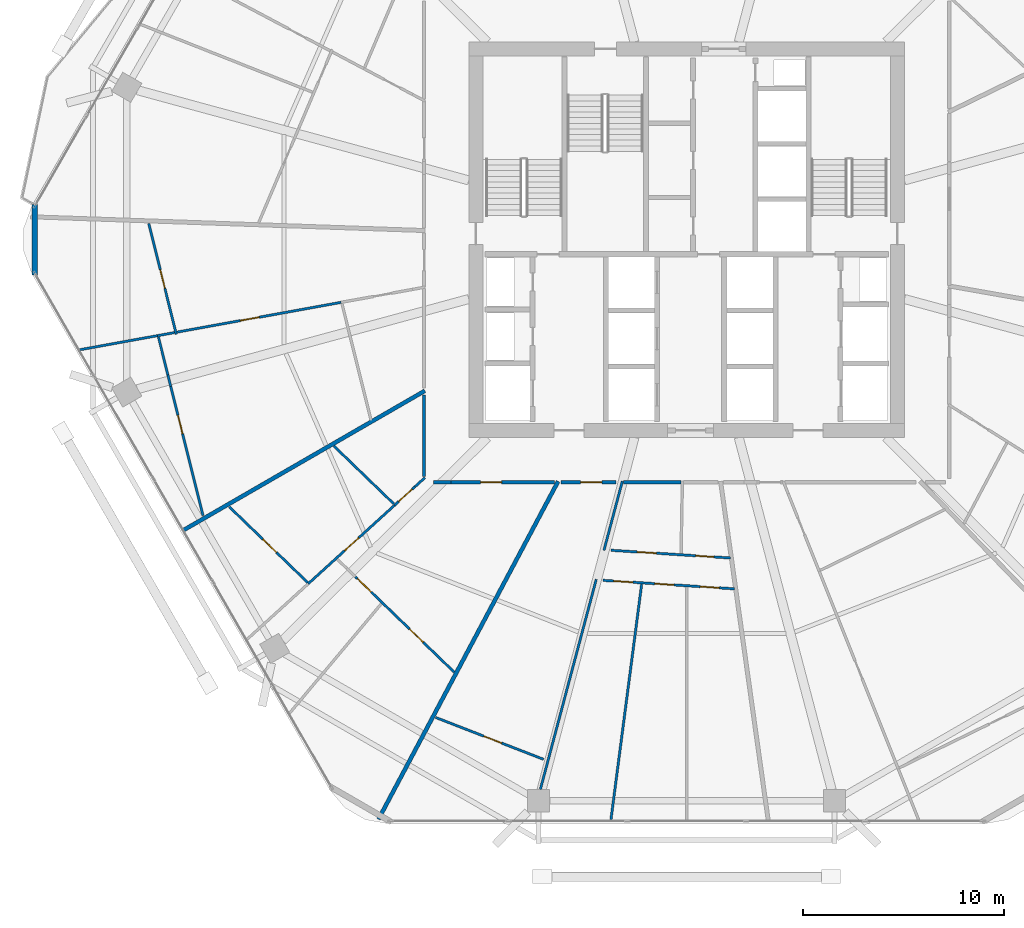
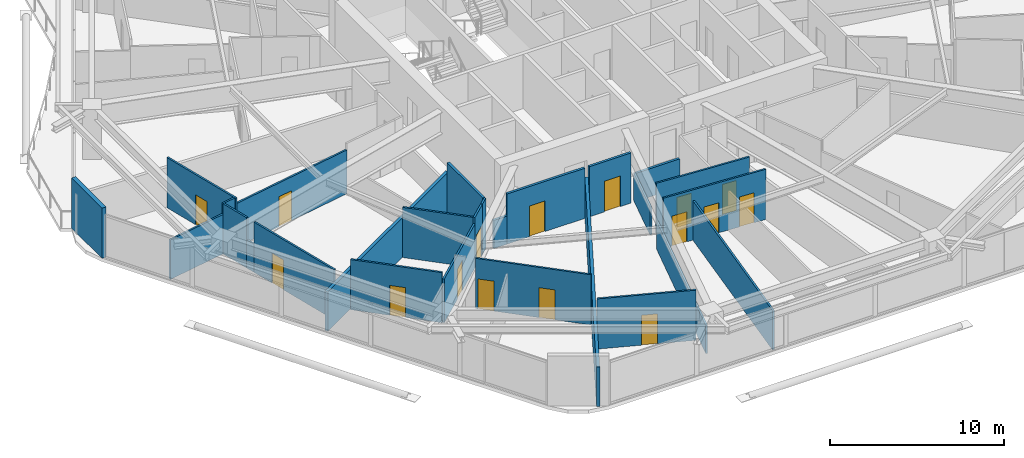
# One storey, part 26 of 33: 27 walls, 16 doors, 16 openings.
"""IFC4 building model written with IfcOpenShell, lengths in metres."""

from ifc_helpers import new_model, si_unit, direction, frame, frame_2d, origin, place, context, subcontext, project, spatial, rectangle, extrude, material, layer, layer_set, type_object, element, fill, save


model = new_model("IFC4")

# Units and contexts
model_context = context("Model", 3, precision=1e-05, world=origin(), true_north=direction((0.0, 1.0)))
body_context = subcontext(model_context, "Body", "Model", "MODEL_VIEW")
ifc_project = project(units=[si_unit("LENGTHUNIT", "METRE"), si_unit("AREAUNIT", "SQUARE_METRE"), si_unit("VOLUMEUNIT", "CUBIC_METRE"), si_unit("PLANEANGLEUNIT", "RADIAN"), si_unit("MASSUNIT", "GRAM", prefix="KILO")], contexts=[model_context])

# Site, building, storey
site_placement = place(None, origin())
site = spatial("IfcSite", under=ifc_project, at=site_placement, CompositionType="ELEMENT")
building_placement = place(site_placement, origin())
building = spatial("IfcBuilding", under=site, at=building_placement, Name="Zuhravey Tower", CompositionType="ELEMENT")
storey_placement = place(building_placement, frame((0.0, 0.0, 141.800048828125)))
storey = spatial("IfcBuildingStorey", under=building, at=storey_placement, Name="L35", CompositionType="ELEMENT", Elevation=141.800048828125)

# Wall, opening, door
ifc_material_1 = material(Name="Gypsum fire-rated stud partition")
ifc_layer_1 = layer(ifc_material_1, 0.159912109375)
ifc_layer_set_1 = layer_set([ifc_layer_1], Name="Gypsum fire-rated stud partition")
wall_type_1 = type_object("IfcWallType", Name="Corridor Fire Partition 160", PredefinedType="PARTITIONING", material=ifc_layer_set_1)
wall_1_placement = place(storey_placement, frame((24.265380859375, 19.919921875, 0.0), z_axis=(0.0, 0.0, 1.0), x_axis=(1.0, 0.0, 0.0)))
wall_1 = element("IfcWall", 1, at=wall_1_placement, inside=storey, type_object=wall_type_1, Name="L35 IW16 Partition 050", PredefinedType="PARTITIONING", context=body_context, shape_type="SweptSolid", body=[
    extrude(rectangle(XDim=5.15283203125, YDim=0.159912109375, at=frame_2d((2.576416015625, 0.0))), origin(), (0.0, 0.0, 1.0), 3.52001953125),
])
opening_1_placement = place(wall_1_placement, frame((1.46875, 0.0, 0.0)))
opening_1 = element("IfcOpeningElement", 2, at=opening_1_placement, cuts=wall_1, Name="Opening APD1", PredefinedType="OPENING", context=body_context, shape_type="SweptSolid", body=[
    extrude(rectangle(XDim=1.050048828125, YDim=2.14990234375, at=frame_2d((0.52490234375, 1.074951171875))), frame((0.0, 0.092041015625, 0.0), z_axis=(0.0, -1.0, 0.0), x_axis=(1.0, 0.0, 0.0)), (0.0, 0.0, 1.0), 0.183837890625),
])
ifc_material_2 = material(Name="Solid-core oak fire-rated leaf")
door_type_1 = type_object("IfcDoorType", Name="Apartment Entrance Fire Door 1050x2150", OperationType="NOTDEFINED", PredefinedType="DOOR", material=ifc_material_2)
door_1_placement = place(opening_1_placement, frame((1.050048828125, 0.0, 0.0), z_axis=(0.0, 0.0, 1.0), x_axis=(-1.0, 0.0, 0.0)))
door_1 = element("IfcDoor", 3, at=door_1_placement, inside=storey, type_object=door_type_1, Name="L35 Door 050.1", OperationType="SINGLE_SWING_LEFT", OverallHeight=2.14990234375, OverallWidth=1.050048828125, PredefinedType="DOOR", context=body_context, shape_type="SweptSolid", body=[
    extrude(rectangle(XDim=1.050048828125, YDim=2.14990234375, at=frame_2d((0.52490234375, 1.074951171875))), frame((0.0, 0.02490234375, 0.0), z_axis=(0.0, -1.0, 0.0), x_axis=(1.0, 0.0, 0.0)), (0.0, 0.0, 1.0), 0.050048828125),
])
fill(opening_1, door_1)

wall_2_placement = place(storey_placement, frame((29.734130859375, 19.919921875, 0.0), z_axis=(0.0, 0.0, 1.0), x_axis=(1.0, 0.0, 0.0)))
wall_2 = element("IfcWall", 4, at=wall_2_placement, inside=storey, type_object=wall_type_1, Name="L35 IW16 Partition 054", PredefinedType="PARTITIONING", context=body_context, shape_type="SweptSolid", body=[
    extrude(rectangle(XDim=2.7587890625, YDim=0.159912109375, at=frame_2d((1.37939453125, 0.0))), origin(), (0.0, 0.0, 1.0), 3.52001953125),
])
opening_2_placement = place(wall_2_placement, frame((0.990478515625, 0.0, 0.0)))
opening_2 = element("IfcOpeningElement", 5, at=opening_2_placement, cuts=wall_2, Name="Opening APD1", PredefinedType="OPENING", context=body_context, shape_type="SweptSolid", body=[
    extrude(rectangle(XDim=1.050048828125, YDim=2.14990234375, at=frame_2d((0.52490234375, 1.074951171875))), frame((0.0, 0.092041015625, 0.0), z_axis=(0.0, -1.0, 0.0), x_axis=(1.0, 0.0, 0.0)), (0.0, 0.0, 1.0), 0.183837890625),
])
door_2_placement = place(opening_2_placement, frame((1.050048828125, 0.0, 0.0), z_axis=(0.0, 0.0, 1.0), x_axis=(-1.0, 0.0, 0.0)))
door_2 = element("IfcDoor", 6, at=door_2_placement, inside=storey, type_object=door_type_1, Name="L35 Door 054.1", OperationType="SINGLE_SWING_RIGHT", OverallHeight=2.14990234375, OverallWidth=1.050048828125, PredefinedType="DOOR", context=body_context, shape_type="SweptSolid", body=[
    extrude(rectangle(XDim=1.050048828125, YDim=2.14990234375, at=frame_2d((0.52490234375, 1.074951171875))), frame((0.0, 0.02490234375, 0.0), z_axis=(0.0, -1.0, 0.0), x_axis=(1.0, 0.0, 0.0)), (0.0, 0.0, 1.0), 0.050048828125),
])
fill(opening_2, door_2)

# Walls
wall_3_placement = place(storey_placement, frame((23.382080078125, 19.919921875, 0.0), z_axis=(0.0, 0.0, 1.0), x_axis=(1.0, 0.0, 0.0)))
element("IfcWall", 7, at=wall_3_placement, inside=storey, type_object=wall_type_1, Name="L35 IW16 Partition 115", PredefinedType="PARTITIONING", context=body_context, shape_type="SweptSolid", body=[
    extrude(rectangle(XDim=0.88330078125, YDim=0.159912109375, at=frame_2d((0.441650390625, 0.0))), origin(), (0.0, 0.0, 1.0), 1.969970703125),
])
wall_4_placement = place(storey_placement, frame((22.919921875, 24.272216796875, 0.0), z_axis=(0.0, 0.0, 1.0), x_axis=(0.0, -1.0, 0.0)))
element("IfcWall", 8, at=wall_4_placement, inside=storey, type_object=wall_type_1, Name="L35 IW16 Partition 148", PredefinedType="PARTITIONING", context=body_context, shape_type="SweptSolid", body=[
    extrude(rectangle(XDim=4.0751953125, YDim=0.159912109375, at=frame_2d((2.03759765625, 0.0))), origin(), (0.0, 0.0, 1.0), 3.52001953125),
])
wall_5_placement = place(storey_placement, frame((32.856201171875, 19.919921875, 0.0), z_axis=(0.0, 0.0, 1.0), x_axis=(1.0, 0.0, 0.0)))
element("IfcWall", 9, at=wall_5_placement, inside=storey, type_object=wall_type_1, Name="L35 IW16 Partition 149", PredefinedType="PARTITIONING", context=body_context, shape_type="SweptSolid", body=[
    extrude(rectangle(XDim=2.8623046875, YDim=0.159912109375, at=frame_2d((1.43115234375, 0.0))), origin(), (0.0, 0.0, 1.0), 1.969970703125),
])
ifc_material_3 = material(Name="Precast concrete C40/50", Category="concrete")
ifc_layer_2 = layer(ifc_material_3, 0.280029296875)
ifc_layer_set_2 = layer_set([ifc_layer_2], Name="Precast concrete C40/50")
wall_type_2 = type_object("IfcWallType", Name="Crown Architectural Wall 280", PredefinedType="SOLIDWALL", material=ifc_layer_set_2)
wall_6_placement = place(storey_placement, frame((3.521484375, 30.242431640625, 0.0), z_axis=(0.0, 0.0, 1.0), x_axis=(0.0, 1.0, 0.0)))
element("IfcWall", 10, at=wall_6_placement, inside=storey, type_object=wall_type_2, Name="L35 Rounded Corner Closure Wall EW28-06", PredefinedType="SOLIDWALL", context=body_context, shape_type="SweptSolid", body=[
    extrude(rectangle(XDim=3.51513671875, YDim=0.280029296875, at=frame_2d((1.757568359375, 0.0))), origin(), (0.0, 0.0, 1.0), 3.52001953125),
])
ifc_material_4 = material(Name="Gypsum double-stud party assembly")
ifc_layer_3 = layer(ifc_material_4, 0.199951171875)
ifc_layer_set_3 = layer_set([ifc_layer_3], Name="Gypsum double-stud party assembly")
wall_type_3 = type_object("IfcWallType", Name="Inter-Tenancy Party Wall 200", PredefinedType="PARTITIONING", material=ifc_layer_set_3)
wall_7_placement = place(storey_placement, frame((22.9599609375, 24.471435546875, 0.0), z_axis=(0.0, 0.0, 1.0), x_axis=(-0.866023267778, -0.500003699654, 0.0)))
element("IfcWall", 11, at=wall_7_placement, inside=storey, type_object=wall_type_3, Name="L35 IW20 Partition 108", PredefinedType="PARTITIONING", context=body_context, shape_type="SweptSolid", body=[
    extrude(rectangle(XDim=13.9013671875, YDim=0.199951171875, at=frame_2d((6.95068359375, 0.0))), origin(), (0.0, 0.0, 1.0), 2.77001953125),
])
wall_8_placement = place(storey_placement, frame((29.59814453125, 19.9599609375, 0.0), z_axis=(0.0, 0.0, 1.0), x_axis=(-0.469467427619, -0.882949791554, 0.0)))
element("IfcWall", 12, at=wall_8_placement, inside=storey, type_object=wall_type_3, Name="L35 IW20 Partition 116", PredefinedType="PARTITIONING", context=body_context, shape_type="SweptSolid", body=[
    extrude(rectangle(XDim=19.056884765625, YDim=0.199951171875, at=frame_2d((9.5283203125, 0.0))), origin(), (0.0, 0.0, 1.0), 2.77001953125),
])

# Wall, opening, door
ifc_material_5 = material(Name="Gypsum metal-stud partition")
ifc_layer_4 = layer(ifc_material_5, 0.1201171875)
ifc_layer_set_4 = layer_set([ifc_layer_4], Name="Gypsum metal-stud partition")
wall_type_4 = type_object("IfcWallType", Name="Unit Internal Partition 120", PredefinedType="PARTITIONING", material=ifc_layer_set_4)
wall_9_placement = place(storey_placement, frame((9.20654296875, 32.801513671875, 0.0), z_axis=(0.0, 0.0, 1.0), x_axis=(0.241898664781, -0.970301518074, 0.0)))
wall_9 = element("IfcWall", 13, at=wall_9_placement, inside=storey, type_object=wall_type_4, Name="L35 IW12 Partition 040", PredefinedType="PARTITIONING", context=body_context, shape_type="SweptSolid", body=[
    extrude(rectangle(XDim=5.68212890625, YDim=0.1201171875, at=frame_2d((2.841064453125, 0.0))), origin(), (0.0, 0.0, 1.0), 3.52001953125),
])
opening_3_placement = place(wall_9_placement, frame((2.3662109375, 0.0, 0.0)))
opening_3 = element("IfcOpeningElement", 14, at=opening_3_placement, cuts=wall_9, Name="Opening IND1", PredefinedType="OPENING", context=body_context, shape_type="SweptSolid", body=[
    extrude(rectangle(XDim=0.949951171875, YDim=2.10009765625, at=frame_2d((0.47509765625, 1.050048828125))), frame((0.0, 0.072021484375, 0.0), z_axis=(0.0, -1.0, 0.0), x_axis=(1.0, 0.0, 0.0)), (0.0, 0.0, 1.0), 0.14404296875),
])
ifc_material_6 = material(Name="Painted engineered timber leaf", Category="wood")
door_type_2 = type_object("IfcDoorType", Name="Internal Room & Bedroom Door 950x2100", OperationType="NOTDEFINED", PredefinedType="DOOR", material=ifc_material_6)
door_3_placement = place(opening_3_placement, frame((0.949951171875, 0.0, 0.0), z_axis=(0.0, 0.0, 1.0), x_axis=(-1.0, 0.0, 0.0)))
door_3 = element("IfcDoor", 15, at=door_3_placement, inside=storey, type_object=door_type_2, Name="Apartment L35-05 Family Study Door", OperationType="SINGLE_SWING_LEFT", OverallHeight=2.10009765625, OverallWidth=0.949951171875, PredefinedType="DOOR", context=body_context, shape_type="SweptSolid", body=[
    extrude(rectangle(XDim=0.949951171875, YDim=2.10009765625, at=frame_2d((0.47509765625, 1.050048828125))), frame((0.0, 0.02490234375, 0.0), z_axis=(0.0, -1.0, 0.0), x_axis=(1.0, 0.0, 0.0)), (0.0, 0.0, 1.0), 0.050048828125),
])
fill(opening_3, door_3)

wall_10_placement = place(storey_placement, frame((18.790283203125, 28.878662109375, 0.0), z_axis=(0.0, 0.0, 1.0), x_axis=(-0.983946535099, -0.17846348665, 0.0)))
wall_10 = element("IfcWall", 16, at=wall_10_placement, inside=storey, type_object=wall_type_4, Name="L35 IW12 Partition 042", PredefinedType="PARTITIONING", context=body_context, shape_type="SweptSolid", body=[
    extrude(rectangle(XDim=8.2998046875, YDim=0.1201171875, at=frame_2d((4.14990234375, 0.0))), origin(), (0.0, 0.0, 1.0), 3.070068359375),
])
opening_4_placement = place(wall_10_placement, frame((4.146484375, 0.0, 0.0)))
opening_4 = element("IfcOpeningElement", 17, at=opening_4_placement, cuts=wall_10, Name="Opening IND1", PredefinedType="OPENING", context=body_context, shape_type="SweptSolid", body=[
    extrude(rectangle(XDim=0.949951171875, YDim=2.10009765625, at=frame_2d((0.47509765625, 1.050048828125))), frame((0.0, 0.072021484375, 0.0), z_axis=(0.0, -1.0, 0.0), x_axis=(1.0, 0.0, 0.0)), (0.0, 0.0, 1.0), 0.14404296875),
])
door_4_placement = place(opening_4_placement, origin())
door_4 = element("IfcDoor", 18, at=door_4_placement, inside=storey, type_object=door_type_2, Name="Apartment L35-05 Home Office Door", OperationType="SINGLE_SWING_LEFT", OverallHeight=2.10009765625, OverallWidth=0.949951171875, PredefinedType="DOOR", context=body_context, shape_type="SweptSolid", body=[
    extrude(rectangle(XDim=0.949951171875, YDim=2.10009765625, at=frame_2d((0.47509765625, 1.050048828125))), frame((0.0, 0.02490234375, 0.0), z_axis=(0.0, -1.0, 0.0), x_axis=(1.0, 0.0, 0.0)), (0.0, 0.0, 1.0), 0.050048828125),
])
fill(opening_4, door_4)

# Wall
wall_11_placement = place(storey_placement, frame((10.48974609375, 27.373291015625, 0.0), z_axis=(0.0, 0.0, 1.0), x_axis=(-0.983920007509, -0.178609682892, 0.0)))
element("IfcWall", 19, at=wall_11_placement, inside=storey, type_object=wall_type_4, Name="L35 IW12 Partition 043", PredefinedType="PARTITIONING", context=body_context, shape_type="SweptSolid", body=[
    extrude(rectangle(XDim=0.85693359375, YDim=0.1201171875, at=frame_2d((0.428466796875, 0.0))), origin(), (0.0, 0.0, 1.0), 3.52001953125),
])

# Wall, opening, door
wall_12_placement = place(storey_placement, frame((10.30126953125, 24.69677734375, 0.0), z_axis=(0.0, 0.0, 1.0), x_axis=(0.241912640741, -0.970298033725, 0.0)))
wall_12 = element("IfcWall", 20, at=wall_12_placement, inside=storey, type_object=wall_type_4, Name="L35 IW12 Partition 044", PredefinedType="PARTITIONING", context=body_context, shape_type="SweptSolid", body=[
    extrude(rectangle(XDim=6.6396484375, YDim=0.1201171875, at=frame_2d((3.31982421875, 0.0))), origin(), (0.0, 0.0, 1.0), 3.52001953125),
])
opening_5_placement = place(wall_12_placement, frame((1.4921875, 0.0, 0.0)))
opening_5 = element("IfcOpeningElement", 21, at=opening_5_placement, cuts=wall_12, Name="Opening IND1", PredefinedType="OPENING", context=body_context, shape_type="SweptSolid", body=[
    extrude(rectangle(XDim=0.949951171875, YDim=2.10009765625, at=frame_2d((0.47509765625, 1.050048828125))), frame((0.0, 0.072021484375, 0.0), z_axis=(0.0, -1.0, 0.0), x_axis=(1.0, 0.0, 0.0)), (0.0, 0.0, 1.0), 0.14404296875),
])
door_5_placement = place(opening_5_placement, frame((0.949951171875, 0.0, 0.0), z_axis=(0.0, 0.0, 1.0), x_axis=(-1.0, 0.0, 0.0)))
door_5 = element("IfcDoor", 22, at=door_5_placement, inside=storey, type_object=door_type_2, Name="Apartment L35-05 Bedroom 1 Door", OperationType="SINGLE_SWING_RIGHT", OverallHeight=2.10009765625, OverallWidth=0.949951171875, PredefinedType="DOOR", context=body_context, shape_type="SweptSolid", body=[
    extrude(rectangle(XDim=0.949951171875, YDim=2.10009765625, at=frame_2d((0.47509765625, 1.050048828125))), frame((0.0, 0.02490234375, 0.0), z_axis=(0.0, -1.0, 0.0), x_axis=(1.0, 0.0, 0.0)), (0.0, 0.0, 1.0), 0.050048828125),
])
fill(opening_5, door_5)

# Wall, openings, doors
wall_13_placement = place(storey_placement, frame((19.499267578125, 15.211181640625, 0.0), z_axis=(0.0, 0.0, 1.0), x_axis=(0.719315340452, -0.694683698521, 0.0)))
wall_13 = element("IfcWall", 23, at=wall_13_placement, inside=storey, type_object=wall_type_4, Name="L35 IW12 Partition 046", PredefinedType="PARTITIONING", context=body_context, shape_type="SweptSolid", body=[
    extrude(rectangle(XDim=6.839111328125, YDim=0.1201171875, at=frame_2d((3.41943359375, 0.0))), origin(), (0.0, 0.0, 1.0), 3.52001953125),
])
opening_6_placement = place(wall_13_placement, frame((0.139892578125, 0.0, 0.0)))
opening_6 = element("IfcOpeningElement", 24, at=opening_6_placement, cuts=wall_13, Name="Opening IND1", PredefinedType="OPENING", context=body_context, shape_type="SweptSolid", body=[
    extrude(rectangle(XDim=0.949951171875, YDim=2.10009765625, at=frame_2d((0.47509765625, 1.050048828125))), frame((0.0, 0.072021484375, 0.0), z_axis=(0.0, -1.0, 0.0), x_axis=(1.0, 0.0, 0.0)), (0.0, 0.0, 1.0), 0.14404296875),
])
opening_7_placement = place(wall_13_placement, frame((3.755126953125, 0.0, 0.0)))
opening_7 = element("IfcOpeningElement", 25, at=opening_7_placement, cuts=wall_13, Name="Opening IND1", PredefinedType="OPENING", context=body_context, shape_type="SweptSolid", body=[
    extrude(rectangle(XDim=0.949951171875, YDim=2.10009765625, at=frame_2d((0.47509765625, 1.050048828125))), frame((0.0, 0.072021484375, 0.0), z_axis=(0.0, -1.0, 0.0), x_axis=(1.0, 0.0, 0.0)), (0.0, 0.0, 1.0), 0.14404296875),
])
door_6_placement = place(opening_6_placement, frame((0.949951171875, 0.0, 0.0), z_axis=(0.0, 0.0, 1.0), x_axis=(-1.0, 0.0, 0.0)))
door_6 = element("IfcDoor", 26, at=door_6_placement, inside=storey, type_object=door_type_2, Name="Apartment L35-06 Family Study Door", OperationType="SINGLE_SWING_RIGHT", OverallHeight=2.10009765625, OverallWidth=0.949951171875, PredefinedType="DOOR", context=body_context, shape_type="SweptSolid", body=[
    extrude(rectangle(XDim=0.949951171875, YDim=2.10009765625, at=frame_2d((0.47509765625, 1.050048828125))), frame((0.0, 0.02490234375, 0.0), z_axis=(0.0, -1.0, 0.0), x_axis=(1.0, 0.0, 0.0)), (0.0, 0.0, 1.0), 0.050048828125),
])
fill(opening_6, door_6)
door_7_placement = place(opening_7_placement, frame((0.949951171875, 0.0, 0.0), z_axis=(0.0, 0.0, 1.0), x_axis=(-1.0, 0.0, 0.0)))
door_7 = element("IfcDoor", 27, at=door_7_placement, inside=storey, type_object=door_type_2, Name="Apartment L35-06 Dining Room Door", OperationType="SINGLE_SWING_LEFT", OverallHeight=2.10009765625, OverallWidth=0.949951171875, PredefinedType="DOOR", context=body_context, shape_type="SweptSolid", body=[
    extrude(rectangle(XDim=0.949951171875, YDim=2.10009765625, at=frame_2d((0.47509765625, 1.050048828125))), frame((0.0, 0.02490234375, 0.0), z_axis=(0.0, -1.0, 0.0), x_axis=(1.0, 0.0, 0.0)), (0.0, 0.0, 1.0), 0.050048828125),
])
fill(opening_7, door_7)

# Wall, opening, door
wall_14_placement = place(storey_placement, frame((22.46875, 19.696044921875, 0.0), z_axis=(0.0, 0.0, 1.0), x_axis=(-0.739835725611, -0.672787558677, 0.0)))
wall_14 = element("IfcWall", 28, at=wall_14_placement, inside=storey, type_object=wall_type_4, Name="L35 IW12 Partition 047", PredefinedType="PARTITIONING", context=body_context, shape_type="SweptSolid", body=[
    extrude(rectangle(XDim=1.37646484375, YDim=0.1201171875, at=frame_2d((0.688232421875, 0.0))), origin(), (0.0, 0.0, 1.0), 3.52001953125),
])
opening_8_placement = place(wall_14_placement, frame((0.199951171875, 0.0, 0.0)))
opening_8 = element("IfcOpeningElement", 29, at=opening_8_placement, cuts=wall_14, Name="Opening WCD1", PredefinedType="OPENING", context=body_context, shape_type="SweptSolid", body=[
    extrude(rectangle(XDim=0.89990234375, YDim=2.10009765625, at=frame_2d((0.449951171875, 1.050048828125))), frame((0.0, 0.072021484375, 0.0), z_axis=(0.0, -1.0, 0.0), x_axis=(1.0, 0.0, 0.0)), (0.0, 0.0, 1.0), 0.14404296875),
])
ifc_material_7 = material(Name="Moisture-resistant timber leaf", Category="wood")
door_type_3 = type_object("IfcDoorType", Name="Bathroom & WC Internal Door 900x2100", OperationType="NOTDEFINED", PredefinedType="DOOR", material=ifc_material_7)
door_8_placement = place(opening_8_placement, frame((0.89990234375, 0.0, 0.0), z_axis=(0.0, 0.0, 1.0), x_axis=(-1.0, 0.0, 0.0)))
door_8 = element("IfcDoor", 30, at=door_8_placement, inside=storey, type_object=door_type_3, Name="Apartment L35-06 Bathroom Door", OperationType="SINGLE_SWING_RIGHT", OverallHeight=2.10009765625, OverallWidth=0.89990234375, PredefinedType="DOOR", context=body_context, shape_type="SweptSolid", body=[
    extrude(rectangle(XDim=0.89990234375, YDim=2.10009765625, at=frame_2d((0.449951171875, 1.050048828125))), frame((0.0, 0.02490234375, 0.0), z_axis=(0.0, -1.0, 0.0), x_axis=(1.0, 0.0, 0.0)), (0.0, 0.0, 1.0), 0.050048828125),
])
fill(opening_8, door_8)

wall_15_placement = place(storey_placement, frame((21.450439453125, 18.77001953125, 0.0), z_axis=(0.0, 0.0, 1.0), x_axis=(-0.73987543962, -0.672743884288, 0.0)))
wall_15 = element("IfcWall", 31, at=wall_15_placement, inside=storey, type_object=wall_type_4, Name="L35 IW12 Partition 048", PredefinedType="PARTITIONING", context=body_context, shape_type="SweptSolid", body=[
    extrude(rectangle(XDim=5.8115234375, YDim=0.1201171875, at=frame_2d((2.90576171875, 0.0))), origin(), (0.0, 0.0, 1.0), 3.070068359375),
])
opening_9_placement = place(wall_15_placement, frame((2.40576171875, 0.0, 0.0)))
opening_9 = element("IfcOpeningElement", 32, at=opening_9_placement, cuts=wall_15, Name="Opening IND1", PredefinedType="OPENING", context=body_context, shape_type="SweptSolid", body=[
    extrude(rectangle(XDim=0.949951171875, YDim=2.10009765625, at=frame_2d((0.47509765625, 1.050048828125))), frame((0.0, 0.072021484375, 0.0), z_axis=(0.0, -1.0, 0.0), x_axis=(1.0, 0.0, 0.0)), (0.0, 0.0, 1.0), 0.14404296875),
])
door_9_placement = place(opening_9_placement, frame((0.949951171875, 0.0, 0.0), z_axis=(0.0, 0.0, 1.0), x_axis=(-1.0, 0.0, 0.0)))
door_9 = element("IfcDoor", 33, at=door_9_placement, inside=storey, type_object=door_type_2, Name="Apartment L35-06 Home Office Door", OperationType="SINGLE_SWING_LEFT", OverallHeight=2.10009765625, OverallWidth=0.949951171875, PredefinedType="DOOR", context=body_context, shape_type="SweptSolid", body=[
    extrude(rectangle(XDim=0.949951171875, YDim=2.10009765625, at=frame_2d((0.47509765625, 1.050048828125))), frame((0.0, 0.02490234375, 0.0), z_axis=(0.0, -1.0, 0.0), x_axis=(1.0, 0.0, 0.0)), (0.0, 0.0, 1.0), 0.050048828125),
])
fill(opening_9, door_9)

wall_16_placement = place(storey_placement, frame((13.2158203125, 18.695068359375, 0.0), z_axis=(0.0, 0.0, 1.0), x_axis=(0.71932395173, -0.694674781799, 0.0)))
wall_16 = element("IfcWall", 34, at=wall_16_placement, inside=storey, type_object=wall_type_4, Name="L35 IW12 Partition 049", PredefinedType="PARTITIONING", context=body_context, shape_type="SweptSolid", body=[
    extrude(rectangle(XDim=5.427734375, YDim=0.1201171875, at=frame_2d((2.7138671875, 0.0))), origin(), (0.0, 0.0, 1.0), 3.52001953125),
])
opening_10_placement = place(wall_16_placement, frame((2.322998046875, 0.0, 0.0)))
opening_10 = element("IfcOpeningElement", 35, at=opening_10_placement, cuts=wall_16, Name="Opening IND1", PredefinedType="OPENING", context=body_context, shape_type="SweptSolid", body=[
    extrude(rectangle(XDim=0.949951171875, YDim=2.10009765625, at=frame_2d((0.47509765625, 1.050048828125))), frame((0.0, 0.072021484375, 0.0), z_axis=(0.0, -1.0, 0.0), x_axis=(1.0, 0.0, 0.0)), (0.0, 0.0, 1.0), 0.14404296875),
])
door_10_placement = place(opening_10_placement, frame((0.949951171875, 0.0, 0.0), z_axis=(0.0, 0.0, 1.0), x_axis=(-1.0, 0.0, 0.0)))
door_10 = element("IfcDoor", 36, at=door_10_placement, inside=storey, type_object=door_type_2, Name="Apartment L35-06 Bedroom 1 Door", OperationType="SINGLE_SWING_RIGHT", OverallHeight=2.10009765625, OverallWidth=0.949951171875, PredefinedType="DOOR", context=body_context, shape_type="SweptSolid", body=[
    extrude(rectangle(XDim=0.949951171875, YDim=2.10009765625, at=frame_2d((0.47509765625, 1.050048828125))), frame((0.0, 0.02490234375, 0.0), z_axis=(0.0, -1.0, 0.0), x_axis=(1.0, 0.0, 0.0)), (0.0, 0.0, 1.0), 0.050048828125),
])
fill(opening_10, door_10)

wall_17_placement = place(storey_placement, frame((23.49755859375, 8.199462890625, 0.0), z_axis=(0.0, 0.0, 1.0), x_axis=(0.932328063589, -0.361613580835, 0.0)))
wall_17 = element("IfcWall", 37, at=wall_17_placement, inside=storey, type_object=wall_type_4, Name="L35 IW12 Partition 051", PredefinedType="PARTITIONING", context=body_context, shape_type="SweptSolid", body=[
    extrude(rectangle(XDim=5.759521484375, YDim=0.1201171875, at=frame_2d((2.8798828125, 0.0))), origin(), (0.0, 0.0, 1.0), 3.52001953125),
])
opening_11_placement = place(wall_17_placement, frame((2.574462890625, 0.0, 0.0)))
opening_11 = element("IfcOpeningElement", 38, at=opening_11_placement, cuts=wall_17, Name="Opening IND1", PredefinedType="OPENING", context=body_context, shape_type="SweptSolid", body=[
    extrude(rectangle(XDim=0.949951171875, YDim=2.10009765625, at=frame_2d((0.47509765625, 1.050048828125))), frame((0.0, 0.072021484375, 0.0), z_axis=(0.0, -1.0, 0.0), x_axis=(1.0, 0.0, 0.0)), (0.0, 0.0, 1.0), 0.14404296875),
])
door_11_placement = place(opening_11_placement, frame((0.949951171875, 0.0, 0.0), z_axis=(0.0, 0.0, 1.0), x_axis=(-1.0, 0.0, 0.0)))
door_11 = element("IfcDoor", 39, at=door_11_placement, inside=storey, type_object=door_type_2, Name="Apartment L35-07 Family Study Door", OperationType="SINGLE_SWING_RIGHT", OverallHeight=2.10009765625, OverallWidth=0.949951171875, PredefinedType="DOOR", context=body_context, shape_type="SweptSolid", body=[
    extrude(rectangle(XDim=0.949951171875, YDim=2.10009765625, at=frame_2d((0.47509765625, 1.050048828125))), frame((0.0, 0.02490234375, 0.0), z_axis=(0.0, -1.0, 0.0), x_axis=(1.0, 0.0, 0.0)), (0.0, 0.0, 1.0), 0.050048828125),
])
fill(opening_11, door_11)

# Wall, openings, doors
wall_18_placement = place(storey_placement, frame((32.225341796875, 16.52880859375, 0.0), z_axis=(0.0, 0.0, 1.0), x_axis=(0.997916917544, -0.064512213421, 0.0)))
wall_18 = element("IfcWall", 40, at=wall_18_placement, inside=storey, type_object=wall_type_4, Name="L35 IW12 Partition 052", PredefinedType="PARTITIONING", context=body_context, shape_type="SweptSolid", body=[
    extrude(rectangle(XDim=5.9755859375, YDim=0.1201171875, at=frame_2d((2.98779296875, 0.0))), origin(), (0.0, 0.0, 1.0), 3.52001953125),
])
opening_12_placement = place(wall_18_placement, frame((1.3271484375, 0.0, 0.0)))
opening_12 = element("IfcOpeningElement", 41, at=opening_12_placement, cuts=wall_18, Name="Opening IND1", PredefinedType="OPENING", context=body_context, shape_type="SweptSolid", body=[
    extrude(rectangle(XDim=0.949951171875, YDim=2.10009765625, at=frame_2d((0.47509765625, 1.050048828125))), frame((0.0, 0.072021484375, 0.0), z_axis=(0.0, -1.0, 0.0), x_axis=(1.0, 0.0, 0.0)), (0.0, 0.0, 1.0), 0.14404296875),
])
opening_13_placement = place(wall_18_placement, frame((4.239013671875, 0.0, 0.0)))
opening_13 = element("IfcOpeningElement", 42, at=opening_13_placement, cuts=wall_18, Name="Opening WCD1", PredefinedType="OPENING", context=body_context, shape_type="SweptSolid", body=[
    extrude(rectangle(XDim=0.89990234375, YDim=2.10009765625, at=frame_2d((0.449951171875, 1.050048828125))), frame((0.0, 0.072021484375, 0.0), z_axis=(0.0, -1.0, 0.0), x_axis=(1.0, 0.0, 0.0)), (0.0, 0.0, 1.0), 0.14404296875),
])
door_12_placement = place(opening_13_placement, origin())
door_12 = element("IfcDoor", 43, at=door_12_placement, inside=storey, type_object=door_type_3, Name="Apartment L35-07 Bathroom Door", OperationType="SINGLE_SWING_RIGHT", OverallHeight=2.10009765625, OverallWidth=0.89990234375, PredefinedType="DOOR", context=body_context, shape_type="SweptSolid", body=[
    extrude(rectangle(XDim=0.89990234375, YDim=2.10009765625, at=frame_2d((0.449951171875, 1.050048828125))), frame((0.0, 0.02490234375, 0.0), z_axis=(0.0, -1.0, 0.0), x_axis=(1.0, 0.0, 0.0)), (0.0, 0.0, 1.0), 0.050048828125),
])
fill(opening_13, door_12)
door_13_placement = place(opening_12_placement, origin())
door_13 = element("IfcDoor", 44, at=door_13_placement, inside=storey, type_object=door_type_2, Name="Apartment L35-07 Kitchen Door", OperationType="SINGLE_SWING_LEFT", OverallHeight=2.10009765625, OverallWidth=0.949951171875, PredefinedType="DOOR", context=body_context, shape_type="SweptSolid", body=[
    extrude(rectangle(XDim=0.949951171875, YDim=2.10009765625, at=frame_2d((0.47509765625, 1.050048828125))), frame((0.0, 0.02490234375, 0.0), z_axis=(0.0, -1.0, 0.0), x_axis=(1.0, 0.0, 0.0)), (0.0, 0.0, 1.0), 0.050048828125),
])
fill(opening_12, door_13)

wall_19_placement = place(storey_placement, frame((31.83056640625, 15.03125, 0.0), z_axis=(0.0, 0.0, 1.0), x_axis=(0.997917064862, -0.064509934561, 0.0)))
wall_19 = element("IfcWall", 45, at=wall_19_placement, inside=storey, type_object=wall_type_4, Name="L35 IW12 Partition 053", PredefinedType="PARTITIONING", context=body_context, shape_type="SweptSolid", body=[
    extrude(rectangle(XDim=6.57373046875, YDim=0.1201171875, at=frame_2d((3.286865234375, 0.0))), origin(), (0.0, 0.0, 1.0), 3.52001953125),
])
opening_14_placement = place(wall_19_placement, frame((0.546630859375, 0.0, 0.0)))
opening_14 = element("IfcOpeningElement", 46, at=opening_14_placement, cuts=wall_19, Name="Opening IND1", PredefinedType="OPENING", context=body_context, shape_type="SweptSolid", body=[
    extrude(rectangle(XDim=0.949951171875, YDim=2.10009765625, at=frame_2d((0.47509765625, 1.050048828125))), frame((0.0, 0.072021484375, 0.0), z_axis=(0.0, -1.0, 0.0), x_axis=(1.0, 0.0, 0.0)), (0.0, 0.0, 1.0), 0.14404296875),
])
opening_15_placement = place(wall_19_placement, frame((2.5908203125, 0.0, 0.0)))
opening_15 = element("IfcOpeningElement", 47, at=opening_15_placement, cuts=wall_19, Name="Opening IND1", PredefinedType="OPENING", context=body_context, shape_type="SweptSolid", body=[
    extrude(rectangle(XDim=0.949951171875, YDim=2.10009765625, at=frame_2d((0.47509765625, 1.050048828125))), frame((0.0, 0.072021484375, 0.0), z_axis=(0.0, -1.0, 0.0), x_axis=(1.0, 0.0, 0.0)), (0.0, 0.0, 1.0), 0.14404296875),
])
opening_16_placement = place(wall_19_placement, frame((4.856201171875, 0.0, 0.0)))
opening_16 = element("IfcOpeningElement", 48, at=opening_16_placement, cuts=wall_19, Name="Opening IND1", PredefinedType="OPENING", context=body_context, shape_type="SweptSolid", body=[
    extrude(rectangle(XDim=0.949951171875, YDim=2.10009765625, at=frame_2d((0.47509765625, 1.050048828125))), frame((0.0, 0.072021484375, 0.0), z_axis=(0.0, -1.0, 0.0), x_axis=(1.0, 0.0, 0.0)), (0.0, 0.0, 1.0), 0.14404296875),
])
door_14_placement = place(opening_14_placement, frame((0.949951171875, 0.0, 0.0), z_axis=(0.0, 0.0, 1.0), x_axis=(-1.0, 0.0, 0.0)))
door_14 = element("IfcDoor", 49, at=door_14_placement, inside=storey, type_object=door_type_2, Name="Apartment L35-07 Bedroom 1 Door", OperationType="SINGLE_SWING_LEFT", OverallHeight=2.10009765625, OverallWidth=0.949951171875, PredefinedType="DOOR", context=body_context, shape_type="SweptSolid", body=[
    extrude(rectangle(XDim=0.949951171875, YDim=2.10009765625, at=frame_2d((0.47509765625, 1.050048828125))), frame((0.0, 0.02490234375, 0.0), z_axis=(0.0, -1.0, 0.0), x_axis=(1.0, 0.0, 0.0)), (0.0, 0.0, 1.0), 0.050048828125),
])
fill(opening_14, door_14)
door_15_placement = place(opening_15_placement, frame((0.949951171875, 0.0, 0.0), z_axis=(0.0, 0.0, 1.0), x_axis=(-1.0, 0.0, 0.0)))
door_15 = element("IfcDoor", 50, at=door_15_placement, inside=storey, type_object=door_type_2, Name="Apartment L35-07 Bedroom 2 Door", OperationType="SINGLE_SWING_RIGHT", OverallHeight=2.10009765625, OverallWidth=0.949951171875, PredefinedType="DOOR", context=body_context, shape_type="SweptSolid", body=[
    extrude(rectangle(XDim=0.949951171875, YDim=2.10009765625, at=frame_2d((0.47509765625, 1.050048828125))), frame((0.0, 0.02490234375, 0.0), z_axis=(0.0, -1.0, 0.0), x_axis=(1.0, 0.0, 0.0)), (0.0, 0.0, 1.0), 0.050048828125),
])
fill(opening_15, door_15)
door_16_placement = place(opening_16_placement, frame((0.949951171875, 0.0, 0.0), z_axis=(0.0, 0.0, 1.0), x_axis=(-1.0, 0.0, 0.0)))
door_16 = element("IfcDoor", 51, at=door_16_placement, inside=storey, type_object=door_type_2, Name="Apartment L35-07 Bedroom 3 Door", OperationType="SINGLE_SWING_LEFT", OverallHeight=2.10009765625, OverallWidth=0.949951171875, PredefinedType="DOOR", context=body_context, shape_type="SweptSolid", body=[
    extrude(rectangle(XDim=0.949951171875, YDim=2.10009765625, at=frame_2d((0.47509765625, 1.050048828125))), frame((0.0, 0.02490234375, 0.0), z_axis=(0.0, -1.0, 0.0), x_axis=(1.0, 0.0, 0.0)), (0.0, 0.0, 1.0), 0.050048828125),
])
fill(opening_16, door_16)

# Walls
wall_20_placement = place(storey_placement, frame((9.646484375, 27.22021484375, 0.0), z_axis=(0.0, 0.0, 1.0), x_axis=(-0.98395121162, -0.178437701036, 0.0)))
element("IfcWall", 52, at=wall_20_placement, inside=storey, type_object=wall_type_4, Name="L35 IW12 Partition 104", PredefinedType="PARTITIONING", context=body_context, shape_type="SweptSolid", body=[
    extrude(rectangle(XDim=3.98291015625, YDim=0.1201171875, at=frame_2d((1.991455078125, 0.0))), origin(), (0.0, 0.0, 1.0), 2.77001953125),
])
wall_21_placement = place(storey_placement, frame((10.157470703125, 25.273193359375, 0.0), z_axis=(0.0, 0.0, 1.0), x_axis=(0.242052119199, -0.970263248604, 0.0)))
element("IfcWall", 53, at=wall_21_placement, inside=storey, type_object=wall_type_4, Name="L35 IW12 Partition 106", PredefinedType="PARTITIONING", context=body_context, shape_type="SweptSolid", body=[
    extrude(rectangle(XDim=0.593994140625, YDim=0.1201171875, at=frame_2d((0.296875, 0.0))), origin(), (0.0, 0.0, 1.0), 1.969970703125),
])
wall_22_placement = place(storey_placement, frame((9.6875, 27.158447265625, 0.0), z_axis=(0.0, 0.0, 1.0), x_axis=(0.241885123134, -0.970304893941, 0.0)))
element("IfcWall", 54, at=wall_22_placement, inside=storey, type_object=wall_type_4, Name="L35 IW12 Partition 107", PredefinedType="PARTITIONING", context=body_context, shape_type="SweptSolid", body=[
    extrude(rectangle(XDim=1.94287109375, YDim=0.1201171875, at=frame_2d((0.971435546875, 0.0))), origin(), (0.0, 0.0, 1.0), 3.52001953125),
])
wall_23_placement = place(storey_placement, frame((22.965087890625, 20.1474609375, 0.0), z_axis=(0.0, 0.0, 1.0), x_axis=(-0.739791864243, -0.67283578799, 0.0)))
element("IfcWall", 55, at=wall_23_placement, inside=storey, type_object=wall_type_4, Name="L35 IW12 Partition 112", PredefinedType="PARTITIONING", context=body_context, shape_type="SweptSolid", body=[
    extrude(rectangle(XDim=0.6708984375, YDim=0.1201171875, at=frame_2d((0.33544921875, 0.0))), origin(), (0.0, 0.0, 1.0), 3.52001953125),
])
wall_24_placement = place(storey_placement, frame((18.423583984375, 21.727783203125, 0.0), z_axis=(0.0, 0.0, 1.0), x_axis=(0.719336822734, -0.694661453845, 0.0)))
element("IfcWall", 56, at=wall_24_placement, inside=storey, type_object=wall_type_4, Name="L35 IW12 Partition 114", PredefinedType="PARTITIONING", context=body_context, shape_type="SweptSolid", body=[
    extrude(rectangle(XDim=4.16552734375, YDim=0.1201171875, at=frame_2d((2.082763671875, 0.0))), origin(), (0.0, 0.0, 1.0), 3.52001953125),
])
wall_25_placement = place(storey_placement, frame((33.760986328125, 14.83837890625, 0.0), z_axis=(0.0, 0.0, 1.0), x_axis=(-0.129380382559, -0.9915950366, 0.0)))
element("IfcWall", 57, at=wall_25_placement, inside=storey, type_object=wall_type_4, Name="L35 IW12 Partition 118", PredefinedType="PARTITIONING", context=body_context, shape_type="SweptSolid", body=[
    extrude(rectangle(XDim=11.906982421875, YDim=0.1201171875, at=frame_2d((5.95361328125, 0.0))), origin(), (0.0, 0.0, 1.0), 2.77001953125),
])
wall_26_placement = place(storey_placement, frame((32.799072265625, 19.969970703125, 0.0), z_axis=(0.0, 0.0, 1.0), x_axis=(-0.257126031384, -0.966377878464, 0.0)))
element("IfcWall", 58, at=wall_26_placement, inside=storey, type_object=wall_type_4, Name="L35 IW12 Partition 120", PredefinedType="PARTITIONING", context=body_context, shape_type="SweptSolid", body=[
    extrude(rectangle(XDim=3.568115234375, YDim=0.1201171875, at=frame_2d((1.7841796875, 0.0))), origin(), (0.0, 0.0, 1.0), 1.969970703125),
])
wall_27_placement = place(storey_placement, frame((31.498779296875, 15.082763671875, 0.0), z_axis=(0.0, 0.0, 1.0), x_axis=(-0.257148855825, -0.966371805232, 0.0)))
element("IfcWall", 59, at=wall_27_placement, inside=storey, type_object=wall_type_4, Name="L35 IW12 Partition 121", PredefinedType="PARTITIONING", context=body_context, shape_type="SweptSolid", body=[
    extrude(rectangle(XDim=10.8251953125, YDim=0.1201171875, at=frame_2d((5.41259765625, 0.0))), origin(), (0.0, 0.0, 1.0), 1.969970703125),
])

save(model, "model.ifc")
